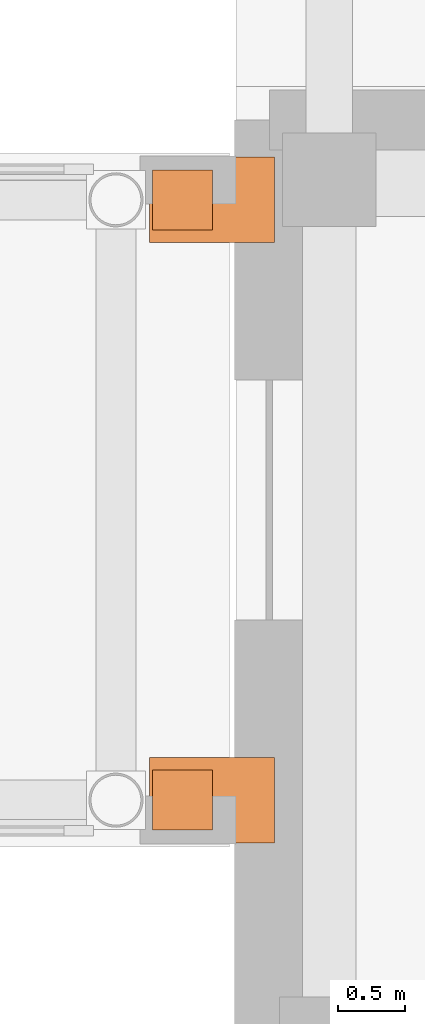
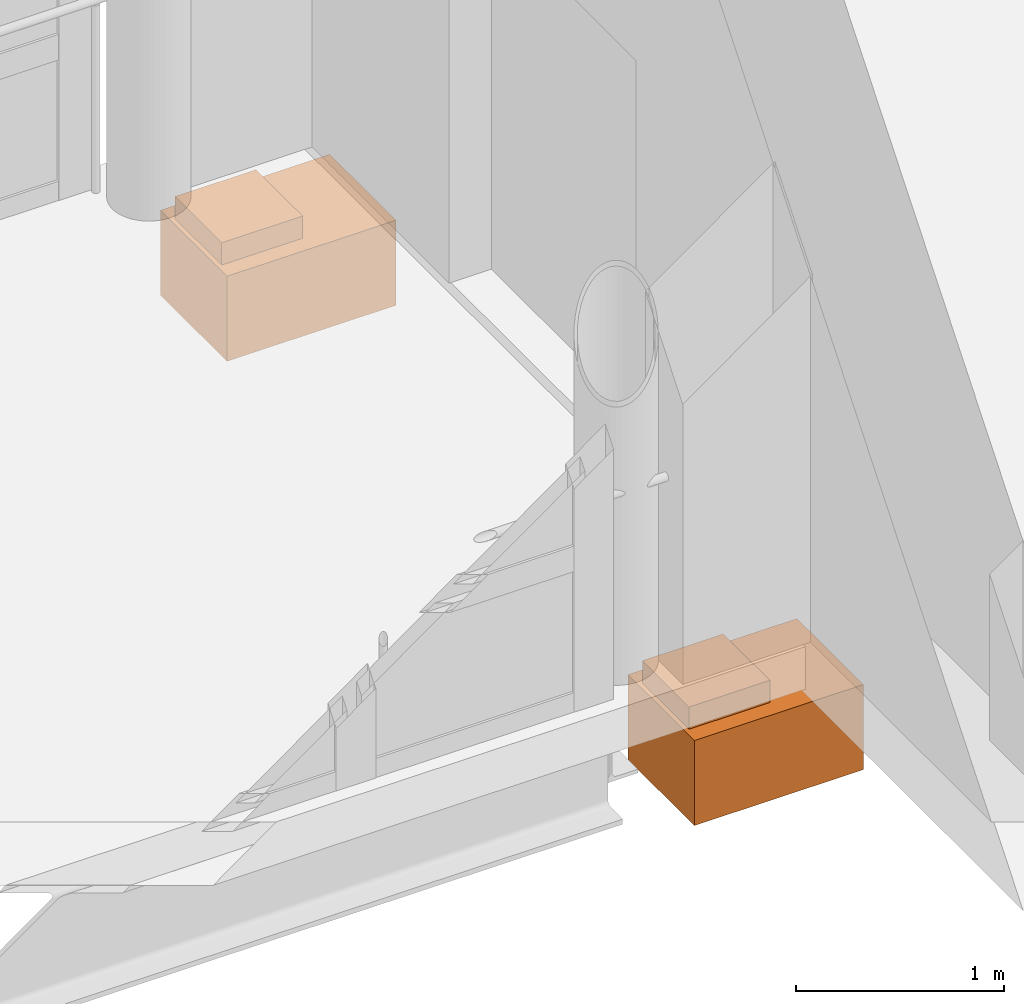
# One storey, part 89 of 89: 4 proxies.
"""IFC4 building model written with IfcOpenShell, lengths in metres."""

from ifc_helpers import new_model, si_unit, direction, frame, origin, origin_2d, place, context, subcontext, project, spatial, rectangle, extrude, element, save


model = new_model("IFC4")

# Units and contexts
model_context = context("Model", 3, precision=1e-05, world=origin(), true_north=direction((0.0, 1.0)))
body_context = subcontext(model_context, "Body", "Model", "MODEL_VIEW")
ifc_project = project(units=[si_unit("LENGTHUNIT", "METRE"), si_unit("AREAUNIT", "SQUARE_METRE"), si_unit("VOLUMEUNIT", "CUBIC_METRE"), si_unit("PLANEANGLEUNIT", "RADIAN"), si_unit("MASSUNIT", "GRAM", prefix="KILO")], contexts=[model_context])

# Site, building, storey
site_placement = place(None, origin())
site = spatial("IfcSite", under=ifc_project, at=site_placement, CompositionType="ELEMENT")
building_placement = place(site_placement, origin())
building = spatial("IfcBuilding", under=site, at=building_placement, Name="Soyqirgoq Riverine Aquarium", CompositionType="ELEMENT")
storey_placement = place(building_placement, frame((0.0, 0.0, 5.39990234375)))
storey = spatial("IfcBuildingStorey", under=building, at=storey_placement, Name="L02", CompositionType="ELEMENT", Elevation=5.39990234375)

# Proxies
proxy_1_placement = place(storey_placement, frame((113.60009765625, 40.14990234375, -0.36962890625), z_axis=(0.0, 0.0, 1.0), x_axis=(1.0, 0.0, 0.0)))
element("IfcBuildingElementProxy", 1, at=proxy_1_placement, inside=storey, Name="BR-1 East Multidirectional Free PTFE Sliding Bearing S", ObjectType="BRACKET", PredefinedType="USERDEFINED", context=body_context, shape_type="SweptSolid", body=[
    extrude(rectangle(XDim=0.449951171875, YDim=0.449951171875, at=origin_2d()), origin(), (0.0, 0.0, 1.0), 0.139892578125),
])
proxy_2_placement = place(storey_placement, frame((113.820068359375, 40.14990234375, -0.85986328125), z_axis=(0.0, 0.0, 1.0), x_axis=(1.0, 0.0, 0.0)))
element("IfcBuildingElementProxy", 2, at=proxy_2_placement, inside=storey, Name="BR-1 East 900 mm RC Bridge Corbel Seat S", ObjectType="BRACKET", PredefinedType="USERDEFINED", context=body_context, shape_type="SweptSolid", body=[
    extrude(rectangle(XDim=0.93994140625, YDim=0.639892578125, at=origin_2d()), origin(), (0.0, 0.0, 1.0), 0.5),
])
proxy_3_placement = place(storey_placement, frame((113.60009765625, 44.64990234375, -0.36962890625), z_axis=(0.0, 0.0, 1.0), x_axis=(1.0, 0.0, 0.0)))
element("IfcBuildingElementProxy", 3, at=proxy_3_placement, inside=storey, Name="BR-1 East Multidirectional Free PTFE Sliding Bearing N", ObjectType="BRACKET", PredefinedType="USERDEFINED", context=body_context, shape_type="SweptSolid", body=[
    extrude(rectangle(XDim=0.449951171875, YDim=0.449951171875, at=origin_2d()), origin(), (0.0, 0.0, 1.0), 0.139892578125),
])
proxy_4_placement = place(storey_placement, frame((113.820068359375, 44.64990234375, -0.85986328125), z_axis=(0.0, 0.0, 1.0), x_axis=(1.0, 0.0, 0.0)))
element("IfcBuildingElementProxy", 4, at=proxy_4_placement, inside=storey, Name="BR-1 East 900 mm RC Bridge Corbel Seat N", ObjectType="BRACKET", PredefinedType="USERDEFINED", context=body_context, shape_type="SweptSolid", body=[
    extrude(rectangle(XDim=0.93994140625, YDim=0.639892578125, at=origin_2d()), origin(), (0.0, 0.0, 1.0), 0.5),
])

save(model, "model.ifc")
